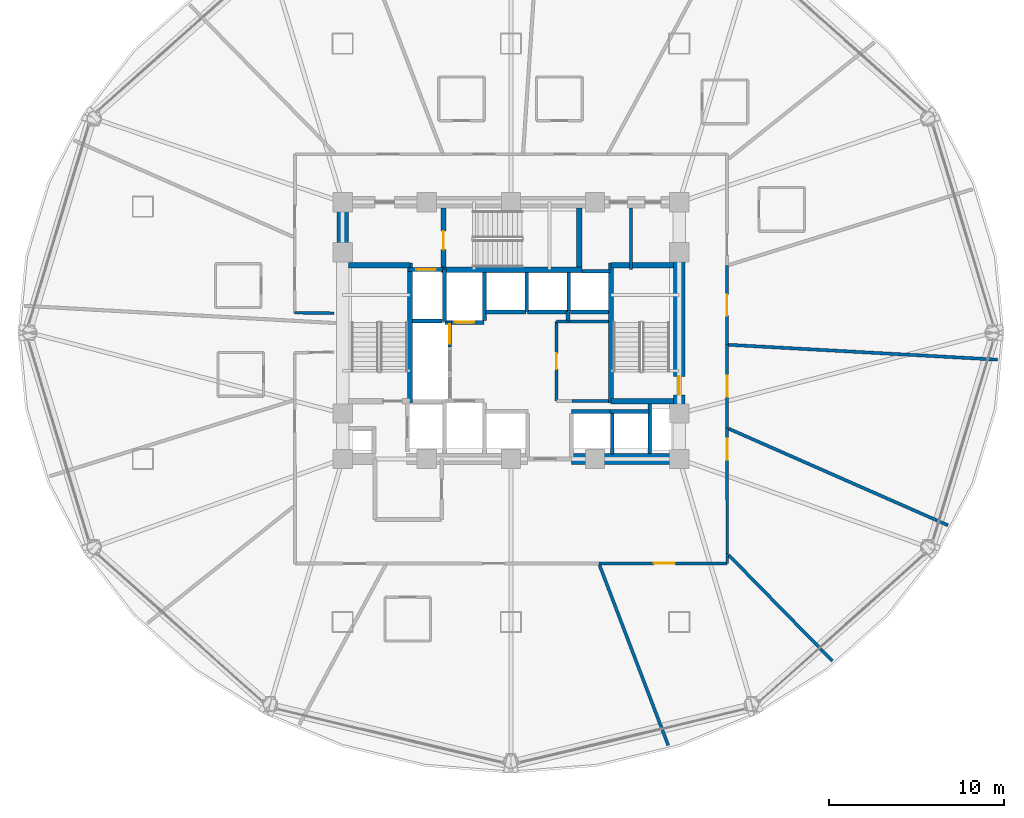
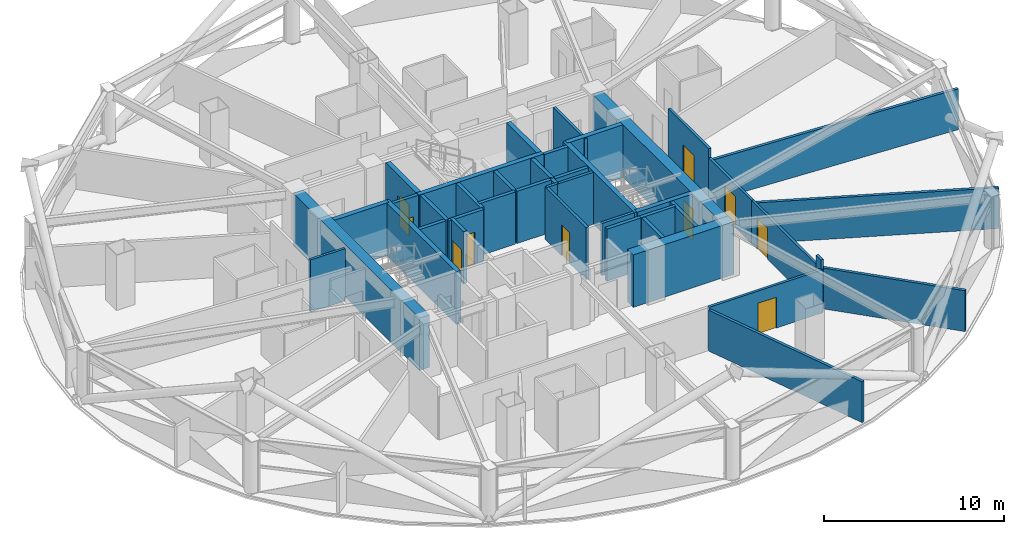
# One storey, part 23 of 30: 43 walls, 10 doors, 10 openings.
"""IFC4 building model written with IfcOpenShell, lengths in metres."""

from ifc_helpers import new_model, si_unit, direction, frame, frame_2d, origin, place, context, subcontext, project, spatial, rectangle, extrude, material, layer, layer_set, type_object, element, fill, save


model = new_model("IFC4")

# Units and contexts
model_context = context("Model", 3, precision=1e-05, world=origin(), true_north=direction((0.0, 1.0)))
body_context = subcontext(model_context, "Body", "Model", "MODEL_VIEW")
ifc_project = project(units=[si_unit("LENGTHUNIT", "METRE"), si_unit("AREAUNIT", "SQUARE_METRE"), si_unit("VOLUMEUNIT", "CUBIC_METRE"), si_unit("PLANEANGLEUNIT", "RADIAN"), si_unit("MASSUNIT", "GRAM", prefix="KILO")], contexts=[model_context])

# Site, building, storey
site_placement = place(None, origin())
site = spatial("IfcSite", under=ifc_project, at=site_placement, CompositionType="ELEMENT")
building_placement = place(site_placement, origin())
building = spatial("IfcBuilding", under=site, at=building_placement, Name="Vantalir Tower", CompositionType="ELEMENT")
storey_placement = place(building_placement, frame((0.0, 0.0, 57.0)))
storey = spatial("IfcBuildingStorey", under=building, at=storey_placement, Name="L13", CompositionType="ELEMENT", Elevation=57.0)

# Walls
ifc_material_1 = material(Name="Concrete C60/75", Category="concrete")
ifc_layer_1 = layer(ifc_material_1, 0.64990234375)
ifc_layer_set_1 = layer_set([ifc_layer_1], Name="Concrete C60/75")
wall_type_1 = type_object("IfcWallType", Name="WL-CORE-650", PredefinedType="SHEAR", material=ifc_layer_set_1)
wall_1_placement = place(storey_placement, frame((34.949951171875, 17.800048828125, 0.0), z_axis=(0.0, 0.0, 1.0), x_axis=(1.0, 0.0, 0.0)))
element("IfcWall", 1, at=wall_1_placement, inside=storey, type_object=wall_type_1, Name="L13 Core Shear Wall South-East", PredefinedType="SHEAR", context=body_context, shape_type="SweptSolid", body=[
    extrude(rectangle(XDim=6.47509765625, YDim=0.64990234375, at=frame_2d((3.237548828125, 0.0))), origin(), (0.0, 0.0, 1.0), 3.570068359375),
])
wall_2_placement = place(storey_placement, frame((21.89990234375, 18.125, 0.0), z_axis=(0.0, 0.0, 1.0), x_axis=(0.0, 1.0, 0.0)))
element("IfcWall", 2, at=wall_2_placement, inside=storey, type_object=wall_type_1, Name="L13 Core Shear Wall West", PredefinedType="SHEAR", context=body_context, shape_type="SweptSolid", body=[
    extrude(rectangle(XDim=14.0, YDim=0.64990234375, at=frame_2d((7.0, 0.0))), origin(), (0.0, 0.0, 1.0), 3.570068359375),
])

# Wall, opening, door
wall_3_placement = place(storey_placement, frame((41.10009765625, 18.125, 0.0), z_axis=(0.0, 0.0, 1.0), x_axis=(0.0, 1.0, 0.0)))
wall_3 = element("IfcWall", 3, at=wall_3_placement, inside=storey, type_object=wall_type_1, Name="L13 Core Shear Wall East", PredefinedType="SHEAR", context=body_context, shape_type="SweptSolid", body=[
    extrude(rectangle(XDim=14.0, YDim=0.64990234375, at=frame_2d((7.0, 0.0))), origin(), (0.0, 0.0, 1.0), 3.570068359375),
])
opening_1_placement = place(wall_3_placement, frame((3.3349609375, 0.0, 0.0)))
opening_1 = element("IfcOpeningElement", 4, at=opening_1_placement, cuts=wall_3, Name="Opening D-ST", PredefinedType="OPENING", context=body_context, shape_type="SweptSolid", body=[
    extrude(rectangle(XDim=1.050048828125, YDim=2.10009765625, at=frame_2d((0.52490234375, 1.050048828125))), frame((0.0, 0.3349609375, 0.0), z_axis=(0.0, -1.0, 0.0), x_axis=(1.0, 0.0, 0.0)), (0.0, 0.0, 1.0), 0.669921875),
])
ifc_material_2 = material(Name="Fire-rated steel door leaf", Category="steel")
door_type_1 = type_object("IfcDoorType", Name="DR-FIRE-STAIR-1050", OperationType="NOTDEFINED", PredefinedType="DOOR", material=ifc_material_2)
door_1_placement = place(opening_1_placement, origin())
door_1 = element("IfcDoor", 5, at=door_1_placement, inside=storey, type_object=door_type_1, Name="L13 Exit Stair ST2 Fire Door", OperationType="SINGLE_SWING_LEFT", OverallHeight=2.10009765625, OverallWidth=1.050048828125, PredefinedType="DOOR", context=body_context, shape_type="SweptSolid", body=[
    extrude(rectangle(XDim=1.050048828125, YDim=2.10009765625, at=frame_2d((0.52490234375, 1.050048828125))), frame((0.0, 0.02490234375, 0.0), z_axis=(0.0, -1.0, 0.0), x_axis=(1.0, 0.0, 0.0)), (0.0, 0.0, 1.0), 0.050048828125),
])
fill(opening_1, door_1)

# Wall
ifc_material_3 = material(Name="Fire-rated hotel corridor acoustic partition", Category="gypsum")
ifc_layer_2 = layer(ifc_material_3, 0.159912109375)
ifc_layer_set_2 = layer_set([ifc_layer_2], Name="Fire-rated hotel corridor acoustic partition")
wall_type_2 = type_object("IfcWallType", Name="WL-CORR-160", PredefinedType="PARTITIONING", material=ifc_layer_set_2)
wall_4_placement = place(storey_placement, frame((21.39501953125, 26.116943359375, 0.0), z_axis=(0.0, 0.0, 1.0), x_axis=(-0.999936661747, 0.011254887571, 0.0)))
element("IfcWall", 6, at=wall_4_placement, inside=storey, type_object=wall_type_2, Name="L13 Corridor Partition 01", PredefinedType="PARTITIONING", context=body_context, shape_type="SweptSolid", body=[
    extrude(rectangle(XDim=2.234375, YDim=0.159912109375, at=frame_2d((1.1171875, 0.0))), origin(), (0.0, 0.0, 1.0), 3.550048828125),
])

# Wall, opening, door
wall_5_placement = place(storey_placement, frame((43.822998046875, 28.8330078125, 0.0), z_axis=(0.0, 0.0, 1.0), x_axis=(0.000865379091, -0.999999625559, 0.0)))
wall_5 = element("IfcWall", 7, at=wall_5_placement, inside=storey, type_object=wall_type_2, Name="L13 Corridor Partition 10", PredefinedType="PARTITIONING", context=body_context, shape_type="SweptSolid", body=[
    extrude(rectangle(XDim=4.513916015625, YDim=0.159912109375, at=frame_2d((2.2568359375, 0.0))), origin(), (0.0, 0.0, 1.0), 3.550048828125),
])
opening_2_placement = place(wall_5_placement, frame((1.656982421875, 0.0, 0.0)))
opening_2 = element("IfcOpeningElement", 8, at=opening_2_placement, cuts=wall_5, Name="Opening D-STE", PredefinedType="OPENING", context=body_context, shape_type="SweptSolid", body=[
    extrude(rectangle(XDim=1.199951171875, YDim=2.10009765625, at=frame_2d((0.60009765625, 1.050048828125))), frame((0.0, 0.08984375, 0.0), z_axis=(0.0, -1.0, 0.0), x_axis=(1.0, 0.0, 0.0)), (0.0, 0.0, 1.0), 0.179931640625),
])
ifc_material_4 = material(Name="Solid-core teak veneer suite entrance door", Category="wood")
door_type_2 = type_object("IfcDoorType", Name="DR-SUITE-ENTRY-1200", OperationType="NOTDEFINED", PredefinedType="DOOR", material=ifc_material_4)
door_2_placement = place(opening_2_placement, origin())
door_2 = element("IfcDoor", 9, at=door_2_placement, inside=storey, type_object=door_type_2, Name="L13 Executive Sky Boardroom 15 Door", OperationType="SINGLE_SWING_LEFT", OverallHeight=2.10009765625, OverallWidth=1.199951171875, PredefinedType="DOOR", context=body_context, shape_type="SweptSolid", body=[
    extrude(rectangle(XDim=1.199951171875, YDim=2.10009765625, at=frame_2d((0.60009765625, 1.050048828125))), frame((0.0, 0.02490234375, 0.0), z_axis=(0.0, -1.0, 0.0), x_axis=(1.0, 0.0, 0.0)), (0.0, 0.0, 1.0), 0.050048828125),
])
fill(opening_2, door_2)

wall_6_placement = place(storey_placement, frame((43.826904296875, 24.319091796875, 0.0), z_axis=(0.0, 0.0, 1.0), x_axis=(0.00066803685, -0.999999776863, 0.0)))
wall_6 = element("IfcWall", 10, at=wall_6_placement, inside=storey, type_object=wall_type_2, Name="L13 Corridor Partition 11", PredefinedType="PARTITIONING", context=body_context, shape_type="SweptSolid", body=[
    extrude(rectangle(XDim=4.7509765625, YDim=0.159912109375, at=frame_2d((2.37548828125, 0.0))), origin(), (0.0, 0.0, 1.0), 2.927978515625),
])
opening_3_placement = place(wall_6_placement, frame((1.77587890625, 0.0, 0.0)))
opening_3 = element("IfcOpeningElement", 11, at=opening_3_placement, cuts=wall_6, Name="Opening D-STE", PredefinedType="OPENING", context=body_context, shape_type="SweptSolid", body=[
    extrude(rectangle(XDim=1.199951171875, YDim=2.10009765625, at=frame_2d((0.60009765625, 1.050048828125))), frame((0.0, 0.08984375, 0.0), z_axis=(0.0, -1.0, 0.0), x_axis=(1.0, 0.0, 0.0)), (0.0, 0.0, 1.0), 0.179931640625),
])
door_3_placement = place(opening_3_placement, origin())
door_3 = element("IfcDoor", 12, at=door_3_placement, inside=storey, type_object=door_type_2, Name="L13 Executive Sky Boardroom 14 Door", OperationType="SINGLE_SWING_RIGHT", OverallHeight=2.10009765625, OverallWidth=1.199951171875, PredefinedType="DOOR", context=body_context, shape_type="SweptSolid", body=[
    extrude(rectangle(XDim=1.199951171875, YDim=2.10009765625, at=frame_2d((0.60009765625, 1.050048828125))), frame((0.0, 0.02490234375, 0.0), z_axis=(0.0, -1.0, 0.0), x_axis=(1.0, 0.0, 0.0)), (0.0, 0.0, 1.0), 0.050048828125),
])
fill(opening_3, door_3)

wall_7_placement = place(storey_placement, frame((43.830078125, 19.568115234375, 0.0), z_axis=(0.0, 0.0, 1.0), x_axis=(0.000681849016, -0.999999767541, 0.0)))
wall_7 = element("IfcWall", 13, at=wall_7_placement, inside=storey, type_object=wall_type_2, Name="L13 Corridor Partition 12", PredefinedType="PARTITIONING", context=body_context, shape_type="SweptSolid", body=[
    extrude(rectangle(XDim=7.1611328125, YDim=0.159912109375, at=frame_2d((3.58056640625, 0.0))), origin(), (0.0, 0.0, 1.0), 2.927978515625),
])
opening_4_placement = place(wall_7_placement, frame((0.60498046875, 0.0, 0.0)))
opening_4 = element("IfcOpeningElement", 14, at=opening_4_placement, cuts=wall_7, Name="Opening D-STE", PredefinedType="OPENING", context=body_context, shape_type="SweptSolid", body=[
    extrude(rectangle(XDim=1.199951171875, YDim=2.10009765625, at=frame_2d((0.60009765625, 1.050048828125))), frame((0.0, 0.08984375, 0.0), z_axis=(0.0, -1.0, 0.0), x_axis=(1.0, 0.0, 0.0)), (0.0, 0.0, 1.0), 0.179931640625),
])
door_4_placement = place(opening_4_placement, origin())
door_4 = element("IfcDoor", 15, at=door_4_placement, inside=storey, type_object=door_type_2, Name="L13 Executive Sky Boardroom 13 Door", OperationType="SINGLE_SWING_LEFT", OverallHeight=2.10009765625, OverallWidth=1.199951171875, PredefinedType="DOOR", context=body_context, shape_type="SweptSolid", body=[
    extrude(rectangle(XDim=1.199951171875, YDim=2.10009765625, at=frame_2d((0.60009765625, 1.050048828125))), frame((0.0, 0.02490234375, 0.0), z_axis=(0.0, -1.0, 0.0), x_axis=(1.0, 0.0, 0.0)), (0.0, 0.0, 1.0), 0.050048828125),
])
fill(opening_4, door_4)

# Wall
wall_8_placement = place(storey_placement, frame((43.8349609375, 12.406982421875, 0.0), z_axis=(0.0, 0.0, 1.0), x_axis=(0.0, -1.0, 0.0)))
element("IfcWall", 16, at=wall_8_placement, inside=storey, type_object=wall_type_2, Name="L13 Corridor Partition 13", PredefinedType="PARTITIONING", context=body_context, shape_type="SweptSolid", body=[
    extrude(rectangle(XDim=0.56103515625, YDim=0.159912109375, at=frame_2d((0.280517578125, 0.0))), origin(), (0.0, 0.0, 1.0), 3.550048828125),
])

# Wall, opening, door
wall_9_placement = place(storey_placement, frame((43.8349609375, 11.845947265625, 0.0), z_axis=(0.0, 0.0, 1.0), x_axis=(-0.999999777452, -0.000667155766, 0.0)))
wall_9 = element("IfcWall", 17, at=wall_9_placement, inside=storey, type_object=wall_type_2, Name="L13 Corridor Partition 14", PredefinedType="PARTITIONING", context=body_context, shape_type="SweptSolid", body=[
    extrude(rectangle(XDim=7.31884765625, YDim=0.159912109375, at=frame_2d((3.659423828125, 0.0))), origin(), (0.0, 0.0, 1.0), 2.927978515625),
])
opening_5_placement = place(wall_9_placement, frame((2.985107421875, 0.0, 0.0)))
opening_5 = element("IfcOpeningElement", 18, at=opening_5_placement, cuts=wall_9, Name="Opening D-STE", PredefinedType="OPENING", context=body_context, shape_type="SweptSolid", body=[
    extrude(rectangle(XDim=1.199951171875, YDim=2.10009765625, at=frame_2d((0.60009765625, 1.050048828125))), frame((0.0, 0.08984375, 0.0), z_axis=(0.0, -1.0, 0.0), x_axis=(1.0, 0.0, 0.0)), (0.0, 0.0, 1.0), 0.179931640625),
])
door_5_placement = place(opening_5_placement, origin())
door_5 = element("IfcDoor", 19, at=door_5_placement, inside=storey, type_object=door_type_2, Name="L13 Club Reading Lounge 12 Door", OperationType="SINGLE_SWING_RIGHT", OverallHeight=2.10009765625, OverallWidth=1.199951171875, PredefinedType="DOOR", context=body_context, shape_type="SweptSolid", body=[
    extrude(rectangle(XDim=1.199951171875, YDim=2.10009765625, at=frame_2d((0.60009765625, 1.050048828125))), frame((0.0, 0.02490234375, 0.0), z_axis=(0.0, -1.0, 0.0), x_axis=(1.0, 0.0, 0.0)), (0.0, 0.0, 1.0), 0.050048828125),
])
fill(opening_5, door_5)

# Walls
ifc_material_5 = material(Name="Concrete blockwork with fireboard lining", Category="masonry")
ifc_layer_3 = layer(ifc_material_5, 0.219970703125)
ifc_layer_set_3 = layer_set([ifc_layer_3], Name="Concrete blockwork with fireboard lining")
wall_type_3 = type_object("IfcWallType", Name="WL-FFL-220", PredefinedType="PARTITIONING", material=ifc_layer_set_3)
wall_10_placement = place(storey_placement, frame((37.27490234375, 18.080078125, 0.0), z_axis=(0.0, 0.0, 1.0), x_axis=(0.0, 1.0, 0.0)))
element("IfcWall", 20, at=wall_10_placement, inside=storey, type_object=wall_type_3, Name="L13 Shuttle Lift PL-X2/X3 Shaft Divider", PredefinedType="PARTITIONING", context=body_context, shape_type="SweptSolid", body=[
    extrude(rectangle(XDim=2.309814453125, YDim=0.219970703125, at=frame_2d((1.15478515625, 0.0))), origin(), (0.0, 0.0, 1.0), 3.544921875),
])
wall_11_placement = place(storey_placement, frame((30.0, 25.7099609375, 0.0), z_axis=(0.0, 0.0, 1.0), x_axis=(0.0, 1.0, 0.0)))
element("IfcWall", 21, at=wall_11_placement, inside=storey, type_object=wall_type_3, Name="L13 Service Lift SV2 East Shaft Wall", PredefinedType="PARTITIONING", context=body_context, shape_type="SweptSolid", body=[
    extrude(rectangle(XDim=2.72998046875, YDim=0.219970703125, at=frame_2d((1.364990234375, 0.0))), origin(), (0.0, 0.0, 1.0), 3.544921875),
])
wall_12_placement = place(storey_placement, frame((32.39990234375, 26.199951171875, 0.0), z_axis=(0.0, 0.0, 1.0), x_axis=(0.0, 1.0, 0.0)))
element("IfcWall", 22, at=wall_12_placement, inside=storey, type_object=wall_type_3, Name="L13 High-Rise Lift PL-H1/H2 Shaft Divider", PredefinedType="PARTITIONING", context=body_context, shape_type="SweptSolid", body=[
    extrude(rectangle(XDim=2.239990234375, YDim=0.219970703125, at=frame_2d((1.1201171875, 0.0))), origin(), (0.0, 0.0, 1.0), 3.544921875),
])
wall_13_placement = place(storey_placement, frame((34.800048828125, 26.22998046875, 0.0), z_axis=(0.0, 0.0, 1.0), x_axis=(0.0, 1.0, 0.0)))
element("IfcWall", 23, at=wall_13_placement, inside=storey, type_object=wall_type_3, Name="L13 High-Rise Lift PL-H2/H3 Shaft Divider", PredefinedType="PARTITIONING", context=body_context, shape_type="SweptSolid", body=[
    extrude(rectangle(XDim=2.2099609375, YDim=0.219970703125, at=frame_2d((1.10498046875, 0.0))), origin(), (0.0, 0.0, 1.0), 3.544921875),
])
wall_14_placement = place(storey_placement, frame((34.909912109375, 26.18994140625, 0.0), z_axis=(0.0, 0.0, 1.0), x_axis=(1.0, 0.0, 0.0)))
element("IfcWall", 24, at=wall_14_placement, inside=storey, type_object=wall_type_3, Name="L13 High-Rise Lift PL-H3 Rear Shaft Wall", PredefinedType="PARTITIONING", context=body_context, shape_type="SweptSolid", body=[
    extrude(rectangle(XDim=2.14013671875, YDim=0.219970703125, at=frame_2d((1.070068359375, 0.0))), origin(), (0.0, 0.0, 1.0), 3.544921875),
])
wall_15_placement = place(storey_placement, frame((39.419921875, 18.125, 0.0), z_axis=(0.0, 0.0, 1.0), x_axis=(0.0, 1.0, 0.0)))
element("IfcWall", 25, at=wall_15_placement, inside=storey, type_object=wall_type_3, Name="L13 East MEP Riser Wall W", PredefinedType="PARTITIONING", context=body_context, shape_type="SweptSolid", body=[
    extrude(rectangle(XDim=2.824951171875, YDim=0.219970703125, at=frame_2d((1.41259765625, 0.0))), origin(), (0.0, 0.0, 1.0), 3.550048828125),
])

# Wall, opening, door
wall_16_placement = place(storey_placement, frame((25.639892578125, 28.610107421875, 0.0), z_axis=(0.0, 0.0, 1.0), x_axis=(1.0, 0.0, 0.0)))
wall_16 = element("IfcWall", 26, at=wall_16_placement, inside=storey, type_object=wall_type_3, Name="L13 Lift FL2 Shaft Front Wall", PredefinedType="PARTITIONING", context=body_context, shape_type="SweptSolid", body=[
    extrude(rectangle(XDim=2.02001953125, YDim=0.219970703125, at=frame_2d((1.010009765625, 0.0))), origin(), (0.0, 0.0, 1.0), 3.550048828125),
])
opening_6_placement = place(wall_16_placement, frame((0.4599609375, 0.0, 0.0)))
opening_6 = element("IfcOpeningElement", 27, at=opening_6_placement, cuts=wall_16, Name="Opening LD-FL2", PredefinedType="OPENING", context=body_context, shape_type="SweptSolid", body=[
    extrude(rectangle(XDim=1.10009765625, YDim=2.199951171875, at=frame_2d((0.550048828125, 1.10009765625))), frame((0.0, 0.119873046875, 0.0), z_axis=(0.0, -1.0, 0.0), x_axis=(1.0, 0.0, 0.0)), (0.0, 0.0, 1.0), 0.239990234375),
])
ifc_material_6 = material(Name="Brushed stainless-steel sliding lift landing door", Category="steel")
door_type_3 = type_object("IfcDoorType", Name="DR-LIFT-LANDING-1100", OperationType="DOUBLE_DOOR_SLIDING", PredefinedType="DOOR", material=ifc_material_6)
door_6_placement = place(opening_6_placement, origin())
door_6 = element("IfcDoor", 28, at=door_6_placement, inside=storey, type_object=door_type_3, Name="L13 Lift Landing Door FL2", OperationType="DOUBLE_DOOR_SLIDING", OverallHeight=2.199951171875, OverallWidth=1.10009765625, PredefinedType="DOOR", context=body_context, shape_type="SweptSolid", body=[
    extrude(rectangle(XDim=1.10009765625, YDim=2.199951171875, at=frame_2d((0.550048828125, 1.10009765625))), frame((0.0, 0.02490234375, 0.0), z_axis=(0.0, -1.0, 0.0), x_axis=(1.0, 0.0, 0.0)), (0.0, 0.0, 1.0), 0.050048828125),
])
fill(opening_6, door_6)

wall_17_placement = place(storey_placement, frame((27.739990234375, 25.590087890625, 0.0), z_axis=(0.0, 0.0, 1.0), x_axis=(1.0, 0.0, 0.0)))
wall_17 = element("IfcWall", 29, at=wall_17_placement, inside=storey, type_object=wall_type_3, Name="L13 Lift SV2 Shaft Front Wall", PredefinedType="PARTITIONING", context=body_context, shape_type="SweptSolid", body=[
    extrude(rectangle(XDim=2.219970703125, YDim=0.219970703125, at=frame_2d((1.10986328125, 0.0))), origin(), (0.0, 0.0, 1.0), 3.550048828125),
])
opening_7_placement = place(wall_17_placement, frame((0.56005859375, 0.0, 0.0)))
opening_7 = element("IfcOpeningElement", 30, at=opening_7_placement, cuts=wall_17, Name="Opening LD-SV2", PredefinedType="OPENING", context=body_context, shape_type="SweptSolid", body=[
    extrude(rectangle(XDim=1.10009765625, YDim=2.199951171875, at=frame_2d((0.550048828125, 1.10009765625))), frame((0.0, 0.119873046875, 0.0), z_axis=(0.0, -1.0, 0.0), x_axis=(1.0, 0.0, 0.0)), (0.0, 0.0, 1.0), 0.239990234375),
])
door_7_placement = place(opening_7_placement, frame((1.10009765625, 0.0, 0.0), z_axis=(0.0, 0.0, 1.0), x_axis=(-1.0, 0.0, 0.0)))
door_7 = element("IfcDoor", 31, at=door_7_placement, inside=storey, type_object=door_type_3, Name="L13 Lift Landing Door SV2", OperationType="DOUBLE_DOOR_SLIDING", OverallHeight=2.199951171875, OverallWidth=1.10009765625, PredefinedType="DOOR", context=body_context, shape_type="SweptSolid", body=[
    extrude(rectangle(XDim=1.10009765625, YDim=2.199951171875, at=frame_2d((0.550048828125, 1.10009765625))), frame((0.0, 0.02490234375, 0.0), z_axis=(0.0, -1.0, 0.0), x_axis=(1.0, 0.0, 0.0)), (0.0, 0.0, 1.0), 0.050048828125),
])
fill(opening_7, door_7)

# Walls
for number, where, z_axis, x_axis, name in (
    (32, (37.139892578125, 20.510009765625, 0.0), (0.0, 0.0, 1.0), (1.0, 0.0, 0.0), "L13 Lift PL-X2 Shaft Rear Wall"),
    (33, (34.93994140625, 20.510009765625, 0.0), (0.0, 0.0, 1.0), (1.0, 0.0, 0.0), "L13 Lift PL-X3 Shaft Front Wall"),
):
    element("IfcWall", number, at=place(storey_placement, frame(where, z_axis=z_axis, x_axis=x_axis)), inside=storey, type_object=wall_type_3, Name=name, PredefinedType="PARTITIONING", context=body_context, shape_type="SweptSolid", body=[
        extrude(rectangle(XDim=2.239990234375, YDim=0.219970703125, at=frame_2d((1.1201171875, 0.0))), origin(), (0.0, 0.0, 1.0), 3.550048828125),
    ])
for number, where, z_axis, x_axis, name in (
    (34, (30.0400390625, 26.18994140625, 0.0), (0.0, 0.0, 1.0), (1.0, 0.0, 0.0), "L13 Lift PL-H1 Shaft Front Wall"),
    (35, (32.43994140625, 26.18994140625, 0.0), (0.0, 0.0, 1.0), (1.0, 0.0, 0.0), "L13 Lift PL-H2 Shaft Front Wall"),
):
    element("IfcWall", number, at=place(storey_placement, frame(where, z_axis=z_axis, x_axis=x_axis)), inside=storey, type_object=wall_type_3, Name=name, PredefinedType="PARTITIONING", context=body_context, shape_type="SweptSolid", body=[
        extrude(rectangle(XDim=2.320068359375, YDim=0.219970703125, at=frame_2d((1.16015625, 0.0))), origin(), (0.0, 0.0, 1.0), 3.550048828125),
    ])
wall_18_placement = place(storey_placement, frame((35.56005859375, 28.510009765625, 0.0), z_axis=(0.0, 0.0, 1.0), x_axis=(1.0, 0.0, 0.0)))
element("IfcWall", 36, at=wall_18_placement, inside=storey, type_object=wall_type_3, Name="L13 Lift PL-H3 Shaft Front Wall", PredefinedType="PARTITIONING", context=body_context, shape_type="SweptSolid", body=[
    extrude(rectangle(XDim=1.599853515625, YDim=0.219970703125, at=frame_2d((0.7998046875, 0.0))), origin(), (0.0, 0.0, 1.0), 3.550048828125),
])

# Wall, opening, door
wall_19_placement = place(storey_placement, frame((28.010009765625, 24.179931640625, 0.0), z_axis=(0.0, 0.0, 1.0), x_axis=(0.0, 1.0, 0.0)))
wall_19 = element("IfcWall", 37, at=wall_19_placement, inside=storey, type_object=wall_type_3, Name="L13 Lift PL-L3 Shaft Front Wall", PredefinedType="PARTITIONING", context=body_context, shape_type="SweptSolid", body=[
    extrude(rectangle(XDim=1.5, YDim=0.219970703125, at=frame_2d((0.75, 0.0))), origin(), (0.0, 0.0, 1.0), 3.550048828125),
])
opening_8_placement = place(wall_19_placement, frame((0.199951171875, 0.0, 0.0)))
opening_8 = element("IfcOpeningElement", 38, at=opening_8_placement, cuts=wall_19, Name="Opening LD-PL-L3", PredefinedType="OPENING", context=body_context, shape_type="SweptSolid", body=[
    extrude(rectangle(XDim=1.10009765625, YDim=2.199951171875, at=frame_2d((0.550048828125, 1.10009765625))), frame((0.0, 0.119873046875, 0.0), z_axis=(0.0, -1.0, 0.0), x_axis=(1.0, 0.0, 0.0)), (0.0, 0.0, 1.0), 0.239990234375),
])
door_8_placement = place(opening_8_placement, frame((1.10009765625, 0.0, 0.0), z_axis=(0.0, 0.0, 1.0), x_axis=(-1.0, 0.0, 0.0)))
door_8 = element("IfcDoor", 39, at=door_8_placement, inside=storey, type_object=door_type_3, Name="L13 Lift Landing Door PL-L3", OperationType="DOUBLE_DOOR_SLIDING", OverallHeight=2.199951171875, OverallWidth=1.10009765625, PredefinedType="DOOR", context=body_context, shape_type="SweptSolid", body=[
    extrude(rectangle(XDim=1.10009765625, YDim=2.199951171875, at=frame_2d((0.550048828125, 1.10009765625))), frame((0.0, 0.02490234375, 0.0), z_axis=(0.0, -1.0, 0.0), x_axis=(1.0, 0.0, 0.0)), (0.0, 0.0, 1.0), 0.050048828125),
])
fill(opening_8, door_8)

# Walls
wall_20_placement = place(storey_placement, frame((27.699951171875, 25.64990234375, 0.0), z_axis=(0.0, 0.0, 1.0), x_axis=(0.0, 1.0, 0.0)))
element("IfcWall", 40, at=wall_20_placement, inside=storey, type_object=wall_type_3, Name="L13 Fire Lift FL2 Dividing Wall", PredefinedType="PARTITIONING", context=body_context, shape_type="SweptSolid", body=[
    extrude(rectangle(XDim=3.0, YDim=0.219970703125, at=frame_2d((1.5, 0.0))), origin(), (0.0, 0.0, 1.0), 3.550048828125),
])
wall_21_placement = place(storey_placement, frame((25.8798828125, 25.679931640625, 0.0), z_axis=(0.0, 0.0, 1.0), x_axis=(1.0, 0.0, 0.0)))
element("IfcWall", 41, at=wall_21_placement, inside=storey, type_object=wall_type_3, Name="L13 Low-Rise Bank North Wall", PredefinedType="PARTITIONING", context=body_context, shape_type="SweptSolid", body=[
    extrude(rectangle(XDim=1.7001953125, YDim=0.219970703125, at=frame_2d((0.85009765625, 0.0))), origin(), (0.0, 0.0, 1.0), 3.550048828125),
])
wall_22_placement = place(storey_placement, frame((34.760009765625, 25.64990234375, 0.0), z_axis=(0.0, 0.0, 1.0), x_axis=(0.0, 1.0, 0.0)))
element("IfcWall", 42, at=wall_22_placement, inside=storey, type_object=wall_type_3, Name="L13 High-Rise Shaft Shoulder Wall", PredefinedType="PARTITIONING", context=body_context, shape_type="SweptSolid", body=[
    extrude(rectangle(XDim=0.570068359375, YDim=0.219970703125, at=frame_2d((0.28515625, 0.0))), origin(), (0.0, 0.0, 1.0), 3.550048828125),
])
ifc_material_7 = material(Name="Twin-stud acoustic fire-rated gypsum partition", Category="gypsum")
ifc_layer_4 = layer(ifc_material_7, 0.179931640625)
ifc_layer_set_4 = layer_set([ifc_layer_4], Name="Twin-stud acoustic fire-rated gypsum partition")
wall_type_4 = type_object("IfcWallType", Name="WL-GUEST-180", PredefinedType="PARTITIONING", material=ifc_layer_set_4)
wall_23_placement = place(storey_placement, frame((34.97998046875, 21.10009765625, 0.0), z_axis=(0.0, 0.0, 1.0), x_axis=(1.0, 0.0, 0.0)))
element("IfcWall", 43, at=wall_23_placement, inside=storey, type_object=wall_type_4, Name="L13 Freed East Core South Wall", PredefinedType="PARTITIONING", context=body_context, shape_type="SweptSolid", body=[
    extrude(rectangle(XDim=2.080078125, YDim=0.179931640625, at=frame_2d((1.0400390625, 0.0))), origin(), (0.0, 0.0, 1.0), 3.550048828125),
])
wall_24_placement = place(storey_placement, frame((34.719970703125, 25.64990234375, 0.0), z_axis=(0.0, 0.0, 1.0), x_axis=(1.0, 0.0, 0.0)))
element("IfcWall", 44, at=wall_24_placement, inside=storey, type_object=wall_type_4, Name="L13 Freed East Core North Wall", PredefinedType="PARTITIONING", context=body_context, shape_type="SweptSolid", body=[
    extrude(rectangle(XDim=2.340087890625, YDim=0.179931640625, at=frame_2d((1.169921875, 0.0))), origin(), (0.0, 0.0, 1.0), 3.550048828125),
])
wall_25_placement = place(storey_placement, frame((34.10009765625, 25.64990234375, 0.0), z_axis=(0.0, 0.0, 1.0), x_axis=(1.0, 0.0, 0.0)))
element("IfcWall", 45, at=wall_25_placement, inside=storey, type_object=wall_type_4, Name="L13 East Core Room North Return", PredefinedType="PARTITIONING", context=body_context, shape_type="SweptSolid", body=[
    extrude(rectangle(XDim=0.659912109375, YDim=0.179931640625, at=frame_2d((0.330078125, 0.0))), origin(), (0.0, 0.0, 1.0), 3.550048828125),
])

# Wall, opening, door
wall_26_placement = place(storey_placement, frame((34.10009765625, 21.10009765625, 0.0), z_axis=(0.0, 0.0, 1.0), x_axis=(0.0, 1.0, 0.0)))
wall_26 = element("IfcWall", 46, at=wall_26_placement, inside=storey, type_object=wall_type_4, Name="L13 East Core Room West Wall", PredefinedType="PARTITIONING", context=body_context, shape_type="SweptSolid", body=[
    extrude(rectangle(XDim=4.5498046875, YDim=0.179931640625, at=frame_2d((2.27490234375, 0.0))), origin(), (0.0, 0.0, 1.0), 3.550048828125),
])
opening_9_placement = place(wall_26_placement, frame((1.824951171875, 0.0, 0.0)))
opening_9 = element("IfcOpeningElement", 47, at=opening_9_placement, cuts=wall_26, Name="Opening D-CR", PredefinedType="OPENING", context=body_context, shape_type="SweptSolid", body=[
    extrude(rectangle(XDim=0.89990234375, YDim=2.10009765625, at=frame_2d((0.449951171875, 1.050048828125))), frame((0.0, 0.099853515625, 0.0), z_axis=(0.0, -1.0, 0.0), x_axis=(1.0, 0.0, 0.0)), (0.0, 0.0, 1.0), 0.199951171875),
])
ifc_material_8 = material(Name="Fire-rated steel core service door", Category="steel")
door_type_4 = type_object("IfcDoorType", Name="DR-CORE-SERV-900", OperationType="NOTDEFINED", PredefinedType="DOOR", material=ifc_material_8)
door_9_placement = place(opening_9_placement, frame((0.89990234375, 0.0, 0.0), z_axis=(0.0, 0.0, 1.0), x_axis=(-1.0, 0.0, 0.0)))
door_9 = element("IfcDoor", 48, at=door_9_placement, inside=storey, type_object=door_type_4, Name="L13 Core Linen Store Door", OperationType="SINGLE_SWING_LEFT", OverallHeight=2.10009765625, OverallWidth=0.89990234375, PredefinedType="DOOR", context=body_context, shape_type="SweptSolid", body=[
    extrude(rectangle(XDim=0.89990234375, YDim=2.10009765625, at=frame_2d((0.449951171875, 1.050048828125))), frame((0.0, 0.02490234375, 0.0), z_axis=(0.0, -1.0, 0.0), x_axis=(1.0, 0.0, 0.0)), (0.0, 0.0, 1.0), 0.050048828125),
])
fill(opening_9, door_9)

# Walls
wall_27_placement = place(storey_placement, frame((38.340087890625, 28.6201171875, 0.0), z_axis=(0.0, 0.0, 1.0), x_axis=(0.0, 1.0, 0.0)))
element("IfcWall", 49, at=wall_27_placement, inside=storey, type_object=wall_type_4, Name="L13 High-Rise Lift Lobby East Wall", PredefinedType="PARTITIONING", context=body_context, shape_type="SweptSolid", body=[
    extrude(rectangle(XDim=3.5048828125, YDim=0.179931640625, at=frame_2d((1.75244140625, 0.0))), origin(), (0.0, 0.0, 1.0), 3.550048828125),
])
wall_28_placement = place(storey_placement, frame((36.551025390625, 11.75, 0.0), z_axis=(0.0, 0.0, 1.0), x_axis=(0.356220373455, -0.934401972138, 0.0)))
element("IfcWall", 50, at=wall_28_placement, inside=storey, type_object=wall_type_4, Name="L13 Radial Suite Partition 12", PredefinedType="PARTITIONING", context=body_context, shape_type="SweptSolid", body=[
    extrude(rectangle(XDim=11.0068359375, YDim=0.179931640625, at=frame_2d((5.50341796875, 0.0))), origin(), (0.0, 0.0, 1.0), 2.77490234375),
])
wall_29_placement = place(storey_placement, frame((43.9150390625, 12.324951171875, 0.0), z_axis=(0.0, 0.0, 1.0), x_axis=(0.699796666029, -0.714342093268, 0.0)))
element("IfcWall", 51, at=wall_29_placement, inside=storey, type_object=wall_type_4, Name="L13 Radial Suite Partition 13", PredefinedType="PARTITIONING", context=body_context, shape_type="SweptSolid", body=[
    extrude(rectangle(XDim=8.45947265625, YDim=0.179931640625, at=frame_2d((4.229736328125, 0.0))), origin(), (0.0, 0.0, 1.0), 2.77490234375),
])
wall_30_placement = place(storey_placement, frame((43.9150390625, 19.531005859375, 0.0), z_axis=(0.0, 0.0, 1.0), x_axis=(0.915142788341, -0.403129851223, 0.0)))
element("IfcWall", 52, at=wall_30_placement, inside=storey, type_object=wall_type_4, Name="L13 Radial Suite Partition 14", PredefinedType="PARTITIONING", context=body_context, shape_type="SweptSolid", body=[
    extrude(rectangle(XDim=13.67529296875, YDim=0.179931640625, at=frame_2d((6.837646484375, 0.0))), origin(), (0.0, 0.0, 1.0), 2.77490234375),
])
wall_31_placement = place(storey_placement, frame((43.9150390625, 24.31396484375, 0.0), z_axis=(0.0, 0.0, 1.0), x_axis=(0.998478397393, -0.055144264799, 0.0)))
element("IfcWall", 53, at=wall_31_placement, inside=storey, type_object=wall_type_4, Name="L13 Radial Suite Partition 15", PredefinedType="PARTITIONING", context=body_context, shape_type="SweptSolid", body=[
    extrude(rectangle(XDim=15.3583984375, YDim=0.179931640625, at=frame_2d((7.67919921875, 0.0))), origin(), (0.0, 0.0, 1.0), 2.77490234375),
])
ifc_material_9 = material(Name="Concrete C50/60", Category="concrete")
ifc_layer_5 = layer(ifc_material_9, 0.300048828125)
ifc_layer_set_5 = layer_set([ifc_layer_5], Name="Concrete C50/60")
wall_type_5 = type_object("IfcWallType", Name="WL-STAIR-300", PredefinedType="SHEAR", material=ifc_layer_set_5)
wall_32_placement = place(storey_placement, frame((22.22509765625, 28.85009765625, 0.0), z_axis=(0.0, 0.0, 1.0), x_axis=(1.0, 0.0, 0.0)))
element("IfcWall", 54, at=wall_32_placement, inside=storey, type_object=wall_type_5, Name="L13 Stair ST1 North Wall", PredefinedType="SHEAR", context=body_context, shape_type="SweptSolid", body=[
    extrude(rectangle(XDim=3.514892578125, YDim=0.300048828125, at=frame_2d((1.75732421875, 0.0))), origin(), (0.0, 0.0, 1.0), 3.570068359375),
])
wall_33_placement = place(storey_placement, frame((25.739990234375, 20.97998046875, 0.0), z_axis=(0.0, 0.0, 1.0), x_axis=(0.0, 1.0, 0.0)))
element("IfcWall", 55, at=wall_33_placement, inside=storey, type_object=wall_type_5, Name="L13 Stair ST1 East Wall", PredefinedType="SHEAR", context=body_context, shape_type="SweptSolid", body=[
    extrude(rectangle(XDim=7.989990234375, YDim=0.300048828125, at=frame_2d((3.9951171875, 0.0))), origin(), (0.0, 0.0, 1.0), 3.570068359375),
])
for number, where, z_axis, x_axis, name in (
    (56, (37.2099609375, 21.10009765625, 0.0), (0.0, 0.0, 1.0), (1.0, 0.0, 0.0), "L13 Stair ST2 South Wall"),
    (57, (37.2099609375, 28.85009765625, 0.0), (0.0, 0.0, 1.0), (1.0, 0.0, 0.0), "L13 Stair ST2 North Wall"),
):
    element("IfcWall", number, at=place(storey_placement, frame(where, z_axis=z_axis, x_axis=x_axis)), inside=storey, type_object=wall_type_5, Name=name, PredefinedType="SHEAR", context=body_context, shape_type="SweptSolid", body=[
        extrude(rectangle(XDim=3.56494140625, YDim=0.300048828125, at=frame_2d((1.782470703125, 0.0))), origin(), (0.0, 0.0, 1.0), 3.570068359375),
    ])
wall_34_placement = place(storey_placement, frame((37.2099609375, 20.97998046875, 0.0), z_axis=(0.0, 0.0, 1.0), x_axis=(0.0, 1.0, 0.0)))
element("IfcWall", 58, at=wall_34_placement, inside=storey, type_object=wall_type_5, Name="L13 Stair ST2 West Wall", PredefinedType="SHEAR", context=body_context, shape_type="SweptSolid", body=[
    extrude(rectangle(XDim=7.989990234375, YDim=0.300048828125, at=frame_2d((3.9951171875, 0.0))), origin(), (0.0, 0.0, 1.0), 3.570068359375),
])
wall_35_placement = place(storey_placement, frame((27.510009765625, 28.60009765625, 0.0), z_axis=(0.0, 0.0, 1.0), x_axis=(1.0, 0.0, 0.0)))
element("IfcWall", 59, at=wall_35_placement, inside=storey, type_object=wall_type_5, Name="L13 Stair ST3 South Wall", PredefinedType="SHEAR", context=body_context, shape_type="SweptSolid", body=[
    extrude(rectangle(XDim=8.030029296875, YDim=0.300048828125, at=frame_2d((4.01513671875, 0.0))), origin(), (0.0, 0.0, 1.0), 3.570068359375),
])

# Wall, opening, door
wall_36_placement = place(storey_placement, frame((27.64990234375, 28.75, 0.0), z_axis=(0.0, 0.0, 1.0), x_axis=(0.0, 1.0, 0.0)))
wall_36 = element("IfcWall", 60, at=wall_36_placement, inside=storey, type_object=wall_type_5, Name="L13 Stair ST3 West Wall", PredefinedType="SHEAR", context=body_context, shape_type="SweptSolid", body=[
    extrude(rectangle(XDim=3.375, YDim=0.300048828125, at=frame_2d((1.6875, 0.0))), origin(), (0.0, 0.0, 1.0), 3.570068359375),
])
opening_10_placement = place(wall_36_placement, frame((1.0, 0.0, 0.0)))
opening_10 = element("IfcOpeningElement", 61, at=opening_10_placement, cuts=wall_36, Name="Opening D-ST", PredefinedType="OPENING", context=body_context, shape_type="SweptSolid", body=[
    extrude(rectangle(XDim=1.050048828125, YDim=2.10009765625, at=frame_2d((0.52490234375, 1.050048828125))), frame((0.0, 0.159912109375, 0.0), z_axis=(0.0, -1.0, 0.0), x_axis=(1.0, 0.0, 0.0)), (0.0, 0.0, 1.0), 0.320068359375),
])
door_10_placement = place(opening_10_placement, frame((1.050048828125, 0.0, 0.0), z_axis=(0.0, 0.0, 1.0), x_axis=(-1.0, 0.0, 0.0)))
door_10 = element("IfcDoor", 62, at=door_10_placement, inside=storey, type_object=door_type_1, Name="L13 Exit Stair ST3 Fire Door", OperationType="SINGLE_SWING_RIGHT", OverallHeight=2.10009765625, OverallWidth=1.050048828125, PredefinedType="DOOR", context=body_context, shape_type="SweptSolid", body=[
    extrude(rectangle(XDim=1.050048828125, YDim=2.10009765625, at=frame_2d((0.52490234375, 1.050048828125))), frame((0.0, 0.02490234375, 0.0), z_axis=(0.0, -1.0, 0.0), x_axis=(1.0, 0.0, 0.0)), (0.0, 0.0, 1.0), 0.050048828125),
])
fill(opening_10, door_10)

# Wall
wall_37_placement = place(storey_placement, frame((35.39990234375, 28.75, 0.0), z_axis=(0.0, 0.0, 1.0), x_axis=(0.0, 1.0, 0.0)))
element("IfcWall", 63, at=wall_37_placement, inside=storey, type_object=wall_type_5, Name="L13 Stair ST3 East Wall", PredefinedType="SHEAR", context=body_context, shape_type="SweptSolid", body=[
    extrude(rectangle(XDim=3.375, YDim=0.300048828125, at=frame_2d((1.6875, 0.0))), origin(), (0.0, 0.0, 1.0), 3.570068359375),
])

save(model, "model.ifc")
